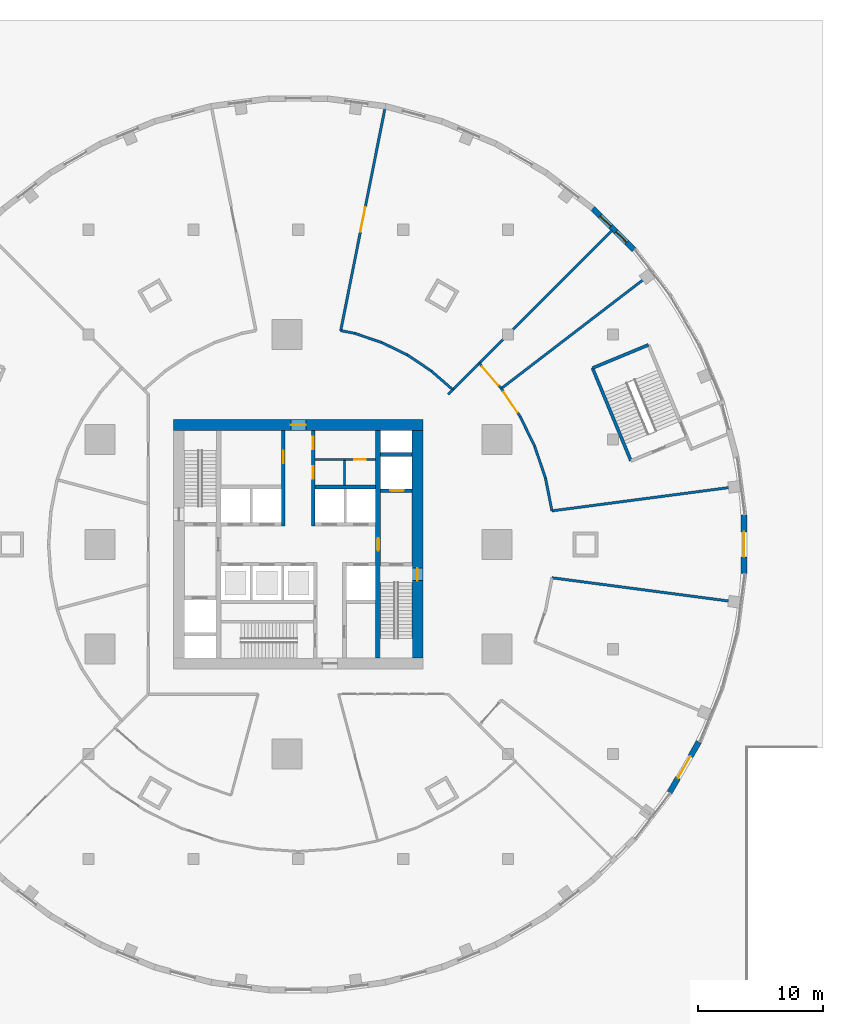
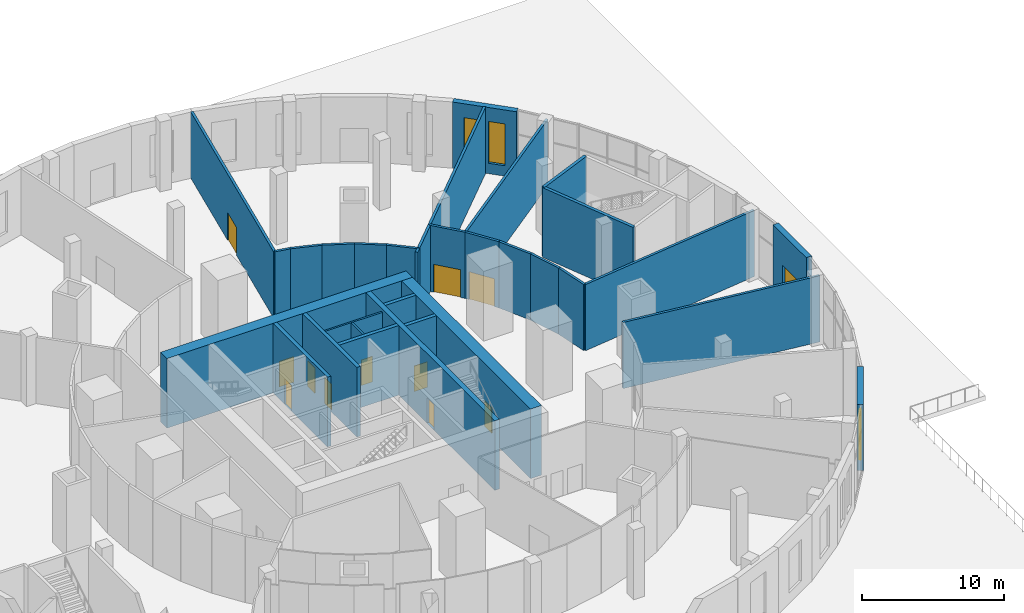
# One storey, part 13 of 19: 32 walls, 13 doors, 2 windows, 15 openings.
"""IFC4 building model written with IfcOpenShell, lengths in metres."""

from ifc_helpers import new_model, si_unit, direction, frame, frame_2d, origin, place, context, subcontext, project, spatial, rectangle, extrude, material, layer, layer_set, type_object, element, fill, save


model = new_model("IFC4")

# Units and contexts
model_context = context("Model", 3, precision=1e-05, world=origin(), true_north=direction((0.0, 1.0)))
body_context = subcontext(model_context, "Body", "Model", "MODEL_VIEW")
ifc_project = project(units=[si_unit("LENGTHUNIT", "METRE"), si_unit("AREAUNIT", "SQUARE_METRE"), si_unit("VOLUMEUNIT", "CUBIC_METRE"), si_unit("PLANEANGLEUNIT", "RADIAN"), si_unit("MASSUNIT", "GRAM", prefix="KILO")], contexts=[model_context])

# Site, building, storey
site_placement = place(None, origin())
site = spatial("IfcSite", under=ifc_project, at=site_placement, CompositionType="ELEMENT")
building_placement = place(site_placement, origin())
building = spatial("IfcBuilding", under=site, at=building_placement, Name="Golbaran Civic Tower", CompositionType="ELEMENT")
storey_placement = place(building_placement, origin())
storey = spatial("IfcBuildingStorey", under=building, at=storey_placement, Name="L00", CompositionType="ELEMENT", Elevation=0.0)

# Wall, opening, door
ifc_material_1 = material(Name="Concrete block", Category="concrete")
ifc_layer_1 = layer(ifc_material_1, 0.14990234375, Name="Concrete block")
ifc_layer_set_1 = layer_set([ifc_layer_1], Name="Concrete block")
wall_type_1 = type_object("IfcWallType", Name="BLOCKWORK PARTITION 150", PredefinedType="PARTITIONING", material=ifc_layer_set_1)
wall_1_placement = place(storey_placement, frame((1.35009765625, 6.800048828125, 0.0), z_axis=(0.0, 0.0, 1.0), x_axis=(1.0, 0.0, 0.0)))
wall_1 = element("IfcWall", 1, at=wall_1_placement, inside=storey, type_object=wall_type_1, Name="Toilet block partition TN1 L00", PredefinedType="PARTITIONING", context=body_context, shape_type="SweptSolid", body=[
    extrude(rectangle(XDim=4.849853515625, YDim=0.14990234375, at=frame_2d((2.4248046875, 0.0))), origin(), (0.0, 0.0, 1.0), 5.75),
])
opening_1_placement = place(wall_1_placement, frame((3.14990234375, 0.0, 0.0)))
opening_1 = element("IfcOpeningElement", 2, at=opening_1_placement, cuts=wall_1, Name="Opening L00.CLN", PredefinedType="OPENING", context=body_context, shape_type="SweptSolid", body=[
    extrude(rectangle(XDim=0.89990234375, YDim=2.199951171875, at=frame_2d((0.449951171875, 1.10009765625))), frame((0.0, 0.0849609375, 0.0), z_axis=(0.0, -1.0, 0.0), x_axis=(1.0, 0.0, 0.0)), (0.0, 0.0, 1.0), 0.169921875),
])
ifc_material_2 = material(Name="Timber door set in steel frame", Category="steel")
door_type_1 = type_object("IfcDoorType", Name="RISER DOOR 900x2200", OperationType="SINGLE_SWING_LEFT", PredefinedType="DOOR", material=ifc_material_2)
door_1_placement = place(opening_1_placement, origin())
door_1 = element("IfcDoor", 3, at=door_1_placement, inside=storey, type_object=door_type_1, Name="Cleaner's Store door", OperationType="SINGLE_SWING_RIGHT", OverallHeight=2.199951171875, OverallWidth=0.89990234375, PredefinedType="DOOR", context=body_context, shape_type="SweptSolid", body=[
    extrude(rectangle(XDim=0.89990234375, YDim=2.199951171875, at=frame_2d((0.449951171875, 1.10009765625))), frame((0.0, 0.02490234375, 0.0), z_axis=(0.0, -1.0, 0.0), x_axis=(1.0, 0.0, 0.0)), (0.0, 0.0, 1.0), 0.050048828125),
])
fill(opening_1, door_1)

# Wall
wall_2_placement = place(storey_placement, frame((3.699951171875, 4.75, 0.0), z_axis=(0.0, 0.0, 1.0), x_axis=(0.0, 1.0, 0.0)))
element("IfcWall", 4, at=wall_2_placement, inside=storey, type_object=wall_type_1, Name="Toilet block partition TN2 L00", PredefinedType="PARTITIONING", context=body_context, shape_type="SweptSolid", body=[
    extrude(rectangle(XDim=1.97509765625, YDim=0.14990234375, at=frame_2d((0.987548828125, 0.0))), origin(), (0.0, 0.0, 1.0), 5.75),
])

# Wall, opening, door
ifc_material_3 = material(Name="Concrete C50/60", Category="concrete")
ifc_layer_2 = layer(ifc_material_3, 0.39990234375, Name="Concrete C50/60")
ifc_layer_set_2 = layer_set([ifc_layer_2], Name="Concrete C50/60")
wall_type_2 = type_object("IfcWallType", Name="CORE WALL CONCRETE 400", PredefinedType="SOLIDWALL", material=ifc_layer_set_2)
wall_3_placement = place(storey_placement, frame((6.39990234375, 9.10009765625, 0.0), z_axis=(0.0, 0.0, 1.0), x_axis=(0.0, -1.0, 0.0)))
wall_3 = element("IfcWall", 5, at=wall_3_placement, inside=storey, type_object=wall_type_2, Name="Core wall IE L00", PredefinedType="SOLIDWALL", context=body_context, shape_type="SweptSolid", body=[
    extrude(rectangle(XDim=18.2001953125, YDim=0.39990234375, at=frame_2d((9.10009765625, 0.0))), origin(), (0.0, 0.0, 1.0), 6.0),
])
opening_2_placement = place(wall_3_placement, frame((8.60009765625, 0.0, 0.0)))
opening_2 = element("IfcOpeningElement", 6, at=opening_2_placement, cuts=wall_3, Name="Opening L00.FL2", PredefinedType="OPENING", context=body_context, shape_type="SweptSolid", body=[
    extrude(rectangle(XDim=1.0, YDim=2.199951171875, at=frame_2d((0.5, 1.10009765625))), frame((0.0, 0.2099609375, 0.0), z_axis=(0.0, -1.0, 0.0), x_axis=(1.0, 0.0, 0.0)), (0.0, 0.0, 1.0), 0.419921875),
])
door_type_2 = type_object("IfcDoorType", Name="STAIR DOOR 1000x2200", OperationType="SINGLE_SWING_LEFT", PredefinedType="DOOR", material=ifc_material_2)
door_2_placement = place(opening_2_placement, origin())
door_2 = element("IfcDoor", 7, at=door_2_placement, inside=storey, type_object=door_type_2, Name="Fire-fighting lobby FL2 door", OperationType="SINGLE_SWING_RIGHT", OverallHeight=2.199951171875, OverallWidth=1.0, PredefinedType="DOOR", context=body_context, shape_type="SweptSolid", body=[
    extrude(rectangle(XDim=1.0, YDim=2.199951171875, at=frame_2d((0.5, 1.10009765625))), frame((0.0, 0.02490234375, 0.0), z_axis=(0.0, -1.0, 0.0), x_axis=(1.0, 0.0, 0.0)), (0.0, 0.0, 1.0), 0.050048828125),
])
fill(opening_2, door_2)

ifc_layer_3 = layer(ifc_material_3, 0.89990234375, Name="Concrete C50/60")
ifc_layer_set_3 = layer_set([ifc_layer_3], Name="Concrete C50/60")
wall_type_3 = type_object("IfcWallType", Name="CORE WALL CONCRETE 900", PredefinedType="SOLIDWALL", material=ifc_layer_set_3)
wall_4_placement = place(storey_placement, frame((-10.0, 9.550048828125, 0.0), z_axis=(0.0, 0.0, 1.0), x_axis=(1.0, 0.0, 0.0)))
wall_4 = element("IfcWall", 8, at=wall_4_placement, inside=storey, type_object=wall_type_3, Name="Core wall CN L00", PredefinedType="SOLIDWALL", context=body_context, shape_type="SweptSolid", body=[
    extrude(rectangle(XDim=20.0, YDim=0.89990234375, at=frame_2d((10.0, 0.0))), origin(), (0.0, 0.0, 1.0), 6.0),
])
opening_3_placement = place(wall_4_placement, frame((9.39990234375, 0.0, 0.0)))
opening_3 = element("IfcOpeningElement", 9, at=opening_3_placement, cuts=wall_4, Name="Opening L00.CN", PredefinedType="OPENING", context=body_context, shape_type="SweptSolid", body=[
    extrude(rectangle(XDim=1.199951171875, YDim=2.199951171875, at=frame_2d((0.60009765625, 1.10009765625))), frame((0.0, 0.4599609375, 0.0), z_axis=(0.0, -1.0, 0.0), x_axis=(1.0, 0.0, 0.0)), (0.0, 0.0, 1.0), 0.919921875),
])
door_type_3 = type_object("IfcDoorType", Name="CORE DOOR 1200x2200", OperationType="DOUBLE_DOOR_SINGLE_SWING", PredefinedType="DOOR", material=ifc_material_2)
door_3_placement = place(opening_3_placement, origin())
door_3 = element("IfcDoor", 10, at=door_3_placement, inside=storey, type_object=door_type_3, Name="Core door north", OperationType="DOUBLE_DOOR_SINGLE_SWING", OverallHeight=2.199951171875, OverallWidth=1.199951171875, PredefinedType="DOOR", context=body_context, shape_type="SweptSolid", body=[
    extrude(rectangle(XDim=1.199951171875, YDim=2.199951171875, at=frame_2d((0.60009765625, 1.10009765625))), frame((0.0, 0.02490234375, 0.0), z_axis=(0.0, -1.0, 0.0), x_axis=(1.0, 0.0, 0.0)), (0.0, 0.0, 1.0), 0.050048828125),
])
fill(opening_3, door_3)

wall_5_placement = place(storey_placement, frame((9.550048828125, -9.10009765625, 0.0), z_axis=(0.0, 0.0, 1.0), x_axis=(0.0, 1.0, 0.0)))
wall_5 = element("IfcWall", 11, at=wall_5_placement, inside=storey, type_object=wall_type_3, Name="Core wall CE L00", PredefinedType="SOLIDWALL", context=body_context, shape_type="SweptSolid", body=[
    extrude(rectangle(XDim=18.2001953125, YDim=0.89990234375, at=frame_2d((9.10009765625, 0.0))), origin(), (0.0, 0.0, 1.0), 6.0),
])
opening_4_placement = place(wall_5_placement, frame((6.199951171875, 0.0, 0.0)))
opening_4 = element("IfcOpeningElement", 12, at=opening_4_placement, cuts=wall_5, Name="Opening L00.S2E", PredefinedType="OPENING", context=body_context, shape_type="SweptSolid", body=[
    extrude(rectangle(XDim=1.0, YDim=2.199951171875, at=frame_2d((0.5, 1.10009765625))), frame((0.0, 0.4599609375, 0.0), z_axis=(0.0, -1.0, 0.0), x_axis=(1.0, 0.0, 0.0)), (0.0, 0.0, 1.0), 0.919921875),
])
door_4_placement = place(opening_4_placement, origin())
door_4 = element("IfcDoor", 13, at=door_4_placement, inside=storey, type_object=door_type_2, Name="Stair S2 exit door", OperationType="SINGLE_SWING_LEFT", OverallHeight=2.199951171875, OverallWidth=1.0, PredefinedType="DOOR", context=body_context, shape_type="SweptSolid", body=[
    extrude(rectangle(XDim=1.0, YDim=2.199951171875, at=frame_2d((0.5, 1.10009765625))), frame((0.0, 0.02490234375, 0.0), z_axis=(0.0, -1.0, 0.0), x_axis=(1.0, 0.0, 0.0)), (0.0, 0.0, 1.0), 0.050048828125),
])
fill(opening_4, door_4)

# Wall
ifc_material_4 = material(Name="Concrete block, plastered", Category="concrete")
ifc_layer_4 = layer(ifc_material_4, 0.199951171875, Name="Concrete block, plastered")
ifc_layer_set_4 = layer_set([ifc_layer_4], Name="Concrete block, plastered")
wall_type_4 = type_object("IfcWallType", Name="PODIUM PARTITION 200", PredefinedType="PARTITIONING", material=ifc_layer_set_4)
wall_6_placement = place(storey_placement, frame((3.39990234375, 17.1201171875, 0.0), z_axis=(0.0, 0.0, 1.0), x_axis=(0.981217026057, -0.19290709623, 0.0)))
element("IfcWall", 14, at=wall_6_placement, inside=storey, type_object=wall_type_4, Name="Podium partition L00", PredefinedType="PARTITIONING", context=body_context, shape_type="SweptSolid", body=[
    extrude(rectangle(XDim=1.1416015625, YDim=0.199951171875, at=frame_2d((0.57080078125, 0.0))), origin(), (0.0, 0.0, 1.0), 5.699951171875),
])

# Wall, opening, door
wall_7_placement = place(storey_placement, frame((3.39990234375, 17.1201171875, 0.0), z_axis=(0.0, 0.0, 1.0), x_axis=(0.195060521619, 0.9807912076, 0.0)))
wall_7 = element("IfcWall", 15, at=wall_7_placement, inside=storey, type_object=wall_type_4, Name="Podium partition L00", PredefinedType="PARTITIONING", context=body_context, shape_type="SweptSolid", body=[
    extrude(rectangle(XDim=18.1484375, YDim=0.199951171875, at=frame_2d((9.07421875, 0.0))), origin(), (0.0, 0.0, 1.0), 5.699951171875),
])
opening_5_placement = place(wall_7_placement, frame((8.07421875, 0.0, 0.0)))
opening_5 = element("IfcOpeningElement", 16, at=opening_5_placement, cuts=wall_7, Name="Opening L00.23", PredefinedType="OPENING", context=body_context, shape_type="SweptSolid", body=[
    extrude(rectangle(XDim=2.0, YDim=2.39990234375, at=frame_2d((1.0, 1.199951171875))), frame((0.0, 0.10986328125, 0.0), z_axis=(0.0, -1.0, 0.0), x_axis=(1.0, 0.0, 0.0)), (0.0, 0.0, 1.0), 0.219970703125),
])
door_type_4 = type_object("IfcDoorType", Name="PUBLIC DOUBLE DOOR 2000x2400", OperationType="DOUBLE_DOOR_SINGLE_SWING", PredefinedType="DOOR", material=ifc_material_2)
door_5_placement = place(opening_5_placement, origin())
door_5 = element("IfcDoor", 17, at=door_5_placement, inside=storey, type_object=door_type_4, Name="Civic Exhibition Gallery door", OperationType="DOUBLE_DOOR_SINGLE_SWING", OverallHeight=2.39990234375, OverallWidth=2.0, PredefinedType="DOOR", context=body_context, shape_type="SweptSolid", body=[
    extrude(rectangle(XDim=2.0, YDim=2.39990234375, at=frame_2d((1.0, 1.199951171875))), frame((0.0, 0.02490234375, 0.0), z_axis=(0.0, -1.0, 0.0), x_axis=(1.0, 0.0, 0.0)), (0.0, 0.0, 1.0), 0.050048828125),
])
fill(opening_5, door_5)

# Walls
wall_8_placement = place(storey_placement, frame((4.52001953125, 16.89990234375, 0.0), z_axis=(0.0, 0.0, 1.0), x_axis=(0.946929712354, -0.321440694159, 0.0)))
element("IfcWall", 18, at=wall_8_placement, inside=storey, type_object=wall_type_4, Name="Podium partition L00", PredefinedType="PARTITIONING", context=body_context, shape_type="SweptSolid", body=[
    extrude(rectangle(XDim=2.302001953125, YDim=0.199951171875, at=frame_2d((1.15087890625, 0.0))), origin(), (0.0, 0.0, 1.0), 5.699951171875),
])
wall_9_placement = place(storey_placement, frame((6.699951171875, 16.159912109375, 0.0), z_axis=(0.0, 0.0, 1.0), x_axis=(0.899611086074, -0.436691989637, 0.0)))
element("IfcWall", 19, at=wall_9_placement, inside=storey, type_object=wall_type_4, Name="Podium partition L00", PredefinedType="PARTITIONING", context=body_context, shape_type="SweptSolid", body=[
    extrude(rectangle(XDim=2.2900390625, YDim=0.199951171875, at=frame_2d((1.14501953125, 0.0))), origin(), (0.0, 0.0, 1.0), 5.699951171875),
])
wall_10_placement = place(storey_placement, frame((8.760009765625, 15.159912109375, 0.0), z_axis=(0.0, 0.0, 1.0), x_axis=(0.829335136553, -0.558751493311, 0.0)))
element("IfcWall", 20, at=wall_10_placement, inside=storey, type_object=wall_type_4, Name="Podium partition L00", PredefinedType="PARTITIONING", context=body_context, shape_type="SweptSolid", body=[
    extrude(rectangle(XDim=2.290771484375, YDim=0.199951171875, at=frame_2d((1.1455078125, 0.0))), origin(), (0.0, 0.0, 1.0), 5.699951171875),
])
wall_11_placement = place(storey_placement, frame((10.659912109375, 13.8798828125, 0.0), z_axis=(0.0, 0.0, 1.0), x_axis=(0.753655870045, -0.657269221512, 0.0)))
element("IfcWall", 21, at=wall_11_placement, inside=storey, type_object=wall_type_4, Name="Podium partition L00", PredefinedType="PARTITIONING", context=body_context, shape_type="SweptSolid", body=[
    extrude(rectangle(XDim=2.2822265625, YDim=0.199951171875, at=frame_2d((1.14111328125, 0.0))), origin(), (0.0, 0.0, 1.0), 5.699951171875),
])
wall_12_placement = place(storey_placement, frame((12.0, 12.0, 0.0), z_axis=(0.0, 0.0, 1.0), x_axis=(0.707106781187, 0.707106781187, 0.0)))
element("IfcWall", 22, at=wall_12_placement, inside=storey, type_object=wall_type_4, Name="Podium partition L00", PredefinedType="PARTITIONING", context=body_context, shape_type="SweptSolid", body=[
    extrude(rectangle(XDim=0.537353515625, YDim=0.199951171875, at=frame_2d((0.2685546875, 0.0))), origin(), (0.0, 0.0, 1.0), 5.699951171875),
])
wall_13_placement = place(storey_placement, frame((12.3798828125, 12.3798828125, 0.0), z_axis=(0.0, 0.0, 1.0), x_axis=(0.707106781187, 0.707106781187, 0.0)))
element("IfcWall", 23, at=wall_13_placement, inside=storey, type_object=wall_type_4, Name="Podium partition L00", PredefinedType="PARTITIONING", context=body_context, shape_type="SweptSolid", body=[
    extrude(rectangle(XDim=2.998291015625, YDim=0.199951171875, at=frame_2d((1.4990234375, 0.0))), origin(), (0.0, 0.0, 1.0), 5.699951171875),
])

# Wall, opening, door
wall_14_placement = place(storey_placement, frame((14.5, 14.5, 0.0), z_axis=(0.0, 0.0, 1.0), x_axis=(0.656916126811, -0.753963661151, 0.0)))
wall_14 = element("IfcWall", 24, at=wall_14_placement, inside=storey, type_object=wall_type_4, Name="Podium partition L00", PredefinedType="PARTITIONING", context=body_context, shape_type="SweptSolid", body=[
    extrude(rectangle(XDim=2.67919921875, YDim=0.199951171875, at=frame_2d((1.339599609375, 0.0))), origin(), (0.0, 0.0, 1.0), 5.699951171875),
])
opening_6_placement = place(wall_14_placement, frame((0.339599609375, 0.0, 0.0)))
opening_6 = element("IfcOpeningElement", 25, at=opening_6_placement, cuts=wall_14, Name="Opening L00.25", PredefinedType="OPENING", context=body_context, shape_type="SweptSolid", body=[
    extrude(rectangle(XDim=2.0, YDim=2.39990234375, at=frame_2d((1.0, 1.199951171875))), frame((0.0, 0.10986328125, 0.0), z_axis=(0.0, -1.0, 0.0), x_axis=(1.0, 0.0, 0.0)), (0.0, 0.0, 1.0), 0.219970703125),
])
door_6_placement = place(opening_6_placement, origin())
door_6 = element("IfcDoor", 26, at=door_6_placement, inside=storey, type_object=door_type_4, Name="Interview Room door", OperationType="DOUBLE_DOOR_SINGLE_SWING", OverallHeight=2.39990234375, OverallWidth=2.0, PredefinedType="DOOR", context=body_context, shape_type="SweptSolid", body=[
    extrude(rectangle(XDim=2.0, YDim=2.39990234375, at=frame_2d((1.0, 1.199951171875))), frame((0.0, 0.02490234375, 0.0), z_axis=(0.0, -1.0, 0.0), x_axis=(1.0, 0.0, 0.0)), (0.0, 0.0, 1.0), 0.050048828125),
])
fill(opening_6, door_6)

# Wall
wall_15_placement = place(storey_placement, frame((14.5, 14.5, 0.0), z_axis=(0.0, 0.0, 1.0), x_axis=(0.707106781187, 0.707106781187, 0.0)))
element("IfcWall", 27, at=wall_15_placement, inside=storey, type_object=wall_type_4, Name="Podium partition L00", PredefinedType="PARTITIONING", context=body_context, shape_type="SweptSolid", body=[
    extrude(rectangle(XDim=15.01904296875, YDim=0.199951171875, at=frame_2d((7.509521484375, 0.0))), origin(), (0.0, 0.0, 1.0), 5.699951171875),
])

# Wall, opening, door
wall_16_placement = place(storey_placement, frame((16.260009765625, 12.47998046875, 0.0), z_axis=(0.0, 0.0, 1.0), x_axis=(0.559862483837, -0.828585541264, 0.0)))
wall_16 = element("IfcWall", 28, at=wall_16_placement, inside=storey, type_object=wall_type_4, Name="Podium partition L00", PredefinedType="PARTITIONING", context=body_context, shape_type="SweptSolid", body=[
    extrude(rectangle(XDim=2.67919921875, YDim=0.199951171875, at=frame_2d((1.339599609375, 0.0))), origin(), (0.0, 0.0, 1.0), 5.699951171875),
])
opening_7_placement = place(wall_16_placement, frame((0.339599609375, 0.0, 0.0)))
opening_7 = element("IfcOpeningElement", 29, at=opening_7_placement, cuts=wall_16, Name="Opening L00.26", PredefinedType="OPENING", context=body_context, shape_type="SweptSolid", body=[
    extrude(rectangle(XDim=2.0, YDim=2.39990234375, at=frame_2d((1.0, 1.199951171875))), frame((0.0, 0.10986328125, 0.0), z_axis=(0.0, -1.0, 0.0), x_axis=(1.0, 0.0, 0.0)), (0.0, 0.0, 1.0), 0.219970703125),
])
door_7_placement = place(opening_7_placement, origin())
door_7 = element("IfcDoor", 30, at=door_7_placement, inside=storey, type_object=door_type_4, Name="Document Registry door", OperationType="DOUBLE_DOOR_SINGLE_SWING", OverallHeight=2.39990234375, OverallWidth=2.0, PredefinedType="DOOR", context=body_context, shape_type="SweptSolid", body=[
    extrude(rectangle(XDim=2.0, YDim=2.39990234375, at=frame_2d((1.0, 1.199951171875))), frame((0.0, 0.02490234375, 0.0), z_axis=(0.0, -1.0, 0.0), x_axis=(1.0, 0.0, 0.0)), (0.0, 0.0, 1.0), 0.050048828125),
])
fill(opening_7, door_7)

# Walls
wall_17_placement = place(storey_placement, frame((16.260009765625, 12.47998046875, 0.0), z_axis=(0.0, 0.0, 1.0), x_axis=(0.79355717759, 0.608495690943, 0.0)))
element("IfcWall", 31, at=wall_17_placement, inside=storey, type_object=wall_type_4, Name="Podium partition L00", PredefinedType="PARTITIONING", context=body_context, shape_type="SweptSolid", body=[
    extrude(rectangle(XDim=15.020751953125, YDim=0.199951171875, at=frame_2d((7.51025390625, 0.0))), origin(), (0.0, 0.0, 1.0), 5.699951171875),
])
wall_18_placement = place(storey_placement, frame((17.760009765625, 10.260009765625, 0.0), z_axis=(0.0, 0.0, 1.0), x_axis=(0.438268188545, -0.898844255091, 0.0)))
element("IfcWall", 32, at=wall_18_placement, inside=storey, type_object=wall_type_4, Name="Podium partition L00", PredefinedType="PARTITIONING", context=body_context, shape_type="SweptSolid", body=[
    extrude(rectangle(XDim=2.692138671875, YDim=0.199951171875, at=frame_2d((1.34619140625, 0.0))), origin(), (0.0, 0.0, 1.0), 5.699951171875),
])
wall_19_placement = place(storey_placement, frame((18.93994140625, 7.840087890625, 0.0), z_axis=(0.0, 0.0, 1.0), x_axis=(0.320730632057, -0.947170450162, 0.0)))
element("IfcWall", 33, at=wall_19_placement, inside=storey, type_object=wall_type_4, Name="Podium partition L00", PredefinedType="PARTITIONING", context=body_context, shape_type="SweptSolid", body=[
    extrude(rectangle(XDim=2.681640625, YDim=0.199951171875, at=frame_2d((1.3408203125, 0.0))), origin(), (0.0, 0.0, 1.0), 5.699951171875),
])
wall_20_placement = place(storey_placement, frame((19.800048828125, 5.300048828125, 0.0), z_axis=(0.0, 0.0, 1.0), x_axis=(0.194674669879, -0.980867867201, 0.0)))
element("IfcWall", 34, at=wall_20_placement, inside=storey, type_object=wall_type_4, Name="Podium partition L00", PredefinedType="PARTITIONING", context=body_context, shape_type="SweptSolid", body=[
    extrude(rectangle(XDim=2.671142578125, YDim=0.199951171875, at=frame_2d((1.33544921875, 0.0))), origin(), (0.0, 0.0, 1.0), 5.699951171875),
])
for number, where, z_axis, x_axis, name in (
    (35, (20.320068359375, -2.679931640625, 0.0), (0.0, 0.0, 1.0), (0.991459050186, -0.130418372192, 0.0), "Podium partition L00"),
    (36, (20.320068359375, 2.679931640625, 0.0), (0.0, 0.0, 1.0), (0.991459050186, 0.130418372192, 0.0), "Podium partition L00"),
):
    element("IfcWall", number, at=place(storey_placement, frame(where, z_axis=z_axis, x_axis=x_axis)), inside=storey, type_object=wall_type_4, Name=name, PredefinedType="PARTITIONING", context=body_context, shape_type="SweptSolid", body=[
        extrude(rectangle(XDim=15.0283203125, YDim=0.199951171875, at=frame_2d((7.51416015625, 0.0))), origin(), (0.0, 0.0, 1.0), 5.699951171875),
    ])
ifc_layer_5 = layer(ifc_material_3, 0.300048828125, Name="Concrete C50/60")
ifc_layer_set_5 = layer_set([ifc_layer_5], Name="Concrete C50/60")
wall_type_5 = type_object("IfcWallType", Name="SHAFT WALL CONCRETE 300", PredefinedType="SOLIDWALL", material=ifc_layer_set_5)
wall_21_placement = place(storey_placement, frame((1.35009765625, 4.60009765625, 0.0), z_axis=(0.0, 0.0, 1.0), x_axis=(1.0, 0.0, 0.0)))
element("IfcWall", 37, at=wall_21_placement, inside=storey, type_object=wall_type_5, Name="Core wall BNE L00", PredefinedType="SOLIDWALL", context=body_context, shape_type="SweptSolid", body=[
    extrude(rectangle(XDim=4.849853515625, YDim=0.300048828125, at=frame_2d((2.4248046875, 0.0))), origin(), (0.0, 0.0, 1.0), 6.0),
])

# Wall, opening, door
wall_22_placement = place(storey_placement, frame((-1.199951171875, 1.449951171875, 0.0), z_axis=(0.0, 0.0, 1.0), x_axis=(0.0, 1.0, 0.0)))
wall_22 = element("IfcWall", 38, at=wall_22_placement, inside=storey, type_object=wall_type_5, Name="Core wall PNW L00", PredefinedType="SOLIDWALL", context=body_context, shape_type="SweptSolid", body=[
    extrude(rectangle(XDim=7.650146484375, YDim=0.300048828125, at=frame_2d((3.8251953125, 0.0))), origin(), (0.0, 0.0, 1.0), 6.0),
])
opening_8_placement = place(wall_22_placement, frame((5.050048828125, 0.0, 0.0)))
opening_8 = element("IfcOpeningElement", 39, at=opening_8_placement, cuts=wall_22, Name="Opening L00.WCM", PredefinedType="OPENING", context=body_context, shape_type="SweptSolid", body=[
    extrude(rectangle(XDim=1.0, YDim=2.199951171875, at=frame_2d((0.5, 1.10009765625))), frame((0.0, 0.159912109375, 0.0), z_axis=(0.0, -1.0, 0.0), x_axis=(1.0, 0.0, 0.0)), (0.0, 0.0, 1.0), 0.320068359375),
])
door_type_5 = type_object("IfcDoorType", Name="TOILET DOOR 1000x2200", OperationType="SINGLE_SWING_LEFT", PredefinedType="DOOR", material=ifc_material_2)
door_8_placement = place(opening_8_placement, origin())
door_8 = element("IfcDoor", 40, at=door_8_placement, inside=storey, type_object=door_type_5, Name="North-west toilet block door", OperationType="SINGLE_SWING_RIGHT", OverallHeight=2.199951171875, OverallWidth=1.0, PredefinedType="DOOR", context=body_context, shape_type="SweptSolid", body=[
    extrude(rectangle(XDim=1.0, YDim=2.199951171875, at=frame_2d((0.5, 1.10009765625))), frame((0.0, 0.02490234375, 0.0), z_axis=(0.0, -1.0, 0.0), x_axis=(1.0, 0.0, 0.0)), (0.0, 0.0, 1.0), 0.050048828125),
])
fill(opening_8, door_8)

# Wall, openings, doors
wall_23_placement = place(storey_placement, frame((1.199951171875, 1.449951171875, 0.0), z_axis=(0.0, 0.0, 1.0), x_axis=(0.0, 1.0, 0.0)))
wall_23 = element("IfcWall", 41, at=wall_23_placement, inside=storey, type_object=wall_type_5, Name="Core wall PNE L00", PredefinedType="SOLIDWALL", context=body_context, shape_type="SweptSolid", body=[
    extrude(rectangle(XDim=7.650146484375, YDim=0.300048828125, at=frame_2d((3.8251953125, 0.0))), origin(), (0.0, 0.0, 1.0), 6.0),
])
opening_9_placement = place(wall_23_placement, frame((3.800048828125, 0.0, 0.0)))
opening_9 = element("IfcOpeningElement", 42, at=opening_9_placement, cuts=wall_23, Name="Opening L00.WCA", PredefinedType="OPENING", context=body_context, shape_type="SweptSolid", body=[
    extrude(rectangle(XDim=1.0, YDim=2.199951171875, at=frame_2d((0.5, 1.10009765625))), frame((0.0, 0.159912109375, 0.0), z_axis=(0.0, -1.0, 0.0), x_axis=(1.0, 0.0, 0.0)), (0.0, 0.0, 1.0), 0.320068359375),
])
opening_10_placement = place(wall_23_placement, frame((6.14990234375, 0.0, 0.0)))
opening_10 = element("IfcOpeningElement", 43, at=opening_10_placement, cuts=wall_23, Name="Opening L00.WCF", PredefinedType="OPENING", context=body_context, shape_type="SweptSolid", body=[
    extrude(rectangle(XDim=1.0, YDim=2.199951171875, at=frame_2d((0.5, 1.10009765625))), frame((0.0, 0.159912109375, 0.0), z_axis=(0.0, -1.0, 0.0), x_axis=(1.0, 0.0, 0.0)), (0.0, 0.0, 1.0), 0.320068359375),
])
door_9_placement = place(opening_9_placement, origin())
door_9 = element("IfcDoor", 44, at=door_9_placement, inside=storey, type_object=door_type_5, Name="Accessible WC door", OperationType="SINGLE_SWING_RIGHT", OverallHeight=2.199951171875, OverallWidth=1.0, PredefinedType="DOOR", context=body_context, shape_type="SweptSolid", body=[
    extrude(rectangle(XDim=1.0, YDim=2.199951171875, at=frame_2d((0.5, 1.10009765625))), frame((0.0, 0.02490234375, 0.0), z_axis=(0.0, -1.0, 0.0), x_axis=(1.0, 0.0, 0.0)), (0.0, 0.0, 1.0), 0.050048828125),
])
fill(opening_9, door_9)
door_10_placement = place(opening_10_placement, origin())
door_10 = element("IfcDoor", 45, at=door_10_placement, inside=storey, type_object=door_type_5, Name="North-east toilet block door", OperationType="SINGLE_SWING_RIGHT", OverallHeight=2.199951171875, OverallWidth=1.0, PredefinedType="DOOR", context=body_context, shape_type="SweptSolid", body=[
    extrude(rectangle(XDim=1.0, YDim=2.199951171875, at=frame_2d((0.5, 1.10009765625))), frame((0.0, 0.02490234375, 0.0), z_axis=(0.0, -1.0, 0.0), x_axis=(1.0, 0.0, 0.0)), (0.0, 0.0, 1.0), 0.050048828125),
])
fill(opening_10, door_10)

# Wall, opening, door
wall_24_placement = place(storey_placement, frame((6.60009765625, 4.300048828125, 0.0), z_axis=(0.0, 0.0, 1.0), x_axis=(1.0, 0.0, 0.0)))
wall_24 = element("IfcWall", 46, at=wall_24_placement, inside=storey, type_object=wall_type_5, Name="Core wall XE2 L00", PredefinedType="SOLIDWALL", context=body_context, shape_type="SweptSolid", body=[
    extrude(rectangle(XDim=2.5, YDim=0.300048828125, at=frame_2d((1.25, 0.0))), origin(), (0.0, 0.0, 1.0), 6.0),
])
opening_11_placement = place(wall_24_placement, frame((0.75, 0.0, 0.0)))
opening_11 = element("IfcOpeningElement", 47, at=opening_11_placement, cuts=wall_24, Name="Opening L00.LD-F2", PredefinedType="OPENING", context=body_context, shape_type="SweptSolid", body=[
    extrude(rectangle(XDim=1.10009765625, YDim=2.199951171875, at=frame_2d((0.550048828125, 1.10009765625))), frame((0.0, 0.159912109375, 0.0), z_axis=(0.0, -1.0, 0.0), x_axis=(1.0, 0.0, 0.0)), (0.0, 0.0, 1.0), 0.320068359375),
])
ifc_material_5 = material(Name="Stainless steel", Category="steel")
door_type_6 = type_object("IfcDoorType", Name="LIFT LANDING DOOR 1100x2200", OperationType="SLIDING_TO_LEFT", PredefinedType="DOOR", material=ifc_material_5)
door_11_placement = place(opening_11_placement, origin())
door_11 = element("IfcDoor", 48, at=door_11_placement, inside=storey, type_object=door_type_6, Name="Lift landing door F2", OperationType="SLIDING_TO_LEFT", OverallHeight=2.199951171875, OverallWidth=1.10009765625, PredefinedType="DOOR", context=body_context, shape_type="SweptSolid", body=[
    extrude(rectangle(XDim=1.10009765625, YDim=2.199951171875, at=frame_2d((0.550048828125, 1.10009765625))), frame((0.0, 0.02490234375, 0.0), z_axis=(0.0, -1.0, 0.0), x_axis=(1.0, 0.0, 0.0)), (0.0, 0.0, 1.0), 0.050048828125),
])
fill(opening_11, door_11)

# Walls
wall_25_placement = place(storey_placement, frame((6.60009765625, 7.199951171875, 0.0), z_axis=(0.0, 0.0, 1.0), x_axis=(1.0, 0.0, 0.0)))
element("IfcWall", 49, at=wall_25_placement, inside=storey, type_object=wall_type_5, Name="Core wall XE3 L00", PredefinedType="SOLIDWALL", context=body_context, shape_type="SweptSolid", body=[
    extrude(rectangle(XDim=2.5, YDim=0.300048828125, at=frame_2d((1.25, 0.0))), origin(), (0.0, 0.0, 1.0), 6.0),
])
ifc_layer_6 = layer(ifc_material_3, 0.25, Name="Concrete C50/60")
ifc_layer_set_6 = layer_set([ifc_layer_6], Name="Concrete C50/60")
wall_type_6 = type_object("IfcWallType", Name="STAIR ENCLOSURE WALL CONCRETE 250", PredefinedType="SOLIDWALL", material=ifc_layer_set_6)
wall_26_placement = place(storey_placement, frame((26.646728515625, 6.680908203125, 0.0), z_axis=(0.0, 0.0, 1.0), x_axis=(-0.382689294869, 0.923877104161, 0.0)))
element("IfcWall", 50, at=wall_26_placement, inside=storey, type_object=wall_type_6, Name="Stair P1 enclosure B L00", PredefinedType="SOLIDWALL", context=body_context, shape_type="SweptSolid", body=[
    extrude(rectangle(XDim=8.0498046875, YDim=0.25, at=frame_2d((4.02490234375, 0.0))), origin(), (0.0, 0.0, 1.0), 6.0),
])
wall_27_placement = place(storey_placement, frame((23.566162109375, 14.117919921875, 0.0), z_axis=(0.0, 0.0, 1.0), x_axis=(0.923862828997, 0.382723755727, 0.0)))
element("IfcWall", 51, at=wall_27_placement, inside=storey, type_object=wall_type_6, Name="Stair P1 enclosure C L00", PredefinedType="SOLIDWALL", context=body_context, shape_type="SweptSolid", body=[
    extrude(rectangle(XDim=4.85009765625, YDim=0.25, at=frame_2d((2.425048828125, 0.0))), origin(), (0.0, 0.0, 1.0), 6.0),
])

# Wall, openings, windows
ifc_material_6 = material(Name="Terracotta brick", Category="masonry")
ifc_layer_7 = layer(ifc_material_6, 0.449951171875, Name="Terracotta brick")
ifc_layer_set_7 = layer_set([ifc_layer_7], Name="Terracotta brick")
wall_type_7 = type_object("IfcWallType", Name="TERRACOTTA BRICK FACADE WALL 450", PredefinedType="SOLIDWALL", material=ifc_layer_set_7)
wall_28_placement = place(storey_placement, frame((26.89697265625, 23.588134765625, 0.0), z_axis=(0.0, 0.0, 1.0), x_axis=(-0.707106781187, 0.707106781187, 0.0)))
wall_28 = element("IfcWall", 52, at=wall_28_placement, inside=storey, type_object=wall_type_7, Name="Podium wall L00 facet 6", PredefinedType="SOLIDWALL", context=body_context, shape_type="SweptSolid", body=[
    extrude(rectangle(XDim=4.679443359375, YDim=0.449951171875, at=frame_2d((2.33984375, 0.0))), origin(), (0.0, 0.0, 1.0), 5.699951171875),
])
opening_12_placement = place(wall_28_placement, frame((0.840087890625, 0.0, 0.89990234375)))
opening_12 = element("IfcOpeningElement", 53, at=opening_12_placement, cuts=wall_28, Name="Opening L00.W01", PredefinedType="OPENING", context=body_context, shape_type="SweptSolid", body=[
    extrude(rectangle(XDim=1.199951171875, YDim=3.60009765625, at=frame_2d((0.60009765625, 1.800048828125))), frame((0.0, 0.23486328125, 0.0), z_axis=(0.0, -1.0, 0.0), x_axis=(1.0, 0.0, 0.0)), (0.0, 0.0, 1.0), 0.469970703125),
])
opening_13_placement = place(wall_28_placement, frame((2.639892578125, 0.0, 0.89990234375)))
opening_13 = element("IfcOpeningElement", 54, at=opening_13_placement, cuts=wall_28, Name="Opening L00.W02", PredefinedType="OPENING", context=body_context, shape_type="SweptSolid", body=[
    extrude(rectangle(XDim=1.199951171875, YDim=3.60009765625, at=frame_2d((0.60009765625, 1.800048828125))), frame((0.0, 0.23486328125, 0.0), z_axis=(0.0, -1.0, 0.0), x_axis=(1.0, 0.0, 0.0)), (0.0, 0.0, 1.0), 0.469970703125),
])
ifc_material_7 = material(Name="Aluminium frame, clear glass", Category="aluminium")
window_type = type_object("IfcWindowType", Name="PODIUM PAIRED WINDOW 1200x3600", PartitioningType="SINGLE_PANEL", PredefinedType="WINDOW", material=ifc_material_7)
window_1_placement = place(opening_12_placement, origin())
window_1 = element("IfcWindow", 55, at=window_1_placement, inside=storey, type_object=window_type, Name="Podium window L00 facet 6a", OverallHeight=3.60009765625, OverallWidth=1.199951171875, PartitioningType="SINGLE_PANEL", PredefinedType="WINDOW", context=body_context, shape_type="SweptSolid", body=[
    extrude(rectangle(XDim=1.199951171875, YDim=3.60009765625, at=frame_2d((0.60009765625, 1.800048828125))), frame((0.0, 0.030029296875, 0.0), z_axis=(0.0, -1.0, 0.0), x_axis=(1.0, 0.0, 0.0)), (0.0, 0.0, 1.0), 0.06005859375),
])
fill(opening_12, window_1)
window_2_placement = place(opening_13_placement, origin())
window_2 = element("IfcWindow", 56, at=window_2_placement, inside=storey, type_object=window_type, Name="Podium window L00 facet 6b", OverallHeight=3.60009765625, OverallWidth=1.199951171875, PartitioningType="SINGLE_PANEL", PredefinedType="WINDOW", context=body_context, shape_type="SweptSolid", body=[
    extrude(rectangle(XDim=1.199951171875, YDim=3.60009765625, at=frame_2d((0.60009765625, 1.800048828125))), frame((0.0, 0.030029296875, 0.0), z_axis=(0.0, -1.0, 0.0), x_axis=(1.0, 0.0, 0.0)), (0.0, 0.0, 1.0), 0.06005859375),
])
fill(opening_13, window_2)

# Wall, opening, door
wall_29_placement = place(storey_placement, frame((29.745849609375, -19.87548828125, 0.0), z_axis=(0.0, 0.0, 1.0), x_axis=(0.500022025083, 0.866012687223, 0.0)))
wall_29 = element("IfcWall", 57, at=wall_29_placement, inside=storey, type_object=wall_type_7, Name="Podium wall L00 facet 44", PredefinedType="SOLIDWALL", context=body_context, shape_type="SweptSolid", body=[
    extrude(rectangle(XDim=4.679443359375, YDim=0.449951171875, at=frame_2d((2.33984375, 0.0))), origin(), (0.0, 0.0, 1.0), 5.699951171875),
])
opening_14_placement = place(wall_29_placement, frame((1.33984375, 0.0, 0.0)))
opening_14 = element("IfcOpeningElement", 58, at=opening_14_placement, cuts=wall_29, Name="Opening L00.15", PredefinedType="OPENING", context=body_context, shape_type="SweptSolid", body=[
    extrude(rectangle(XDim=2.0, YDim=3.0, at=frame_2d((1.0, 1.5))), frame((0.0, 0.23486328125, 0.0), z_axis=(0.0, -1.0, 0.0), x_axis=(1.0, 0.0, 0.0)), (0.0, 0.0, 1.0), 0.469970703125),
])
ifc_material_8 = material(Name="Bronze-finished aluminium and glass", Category="aluminium")
door_type_7 = type_object("IfcDoorType", Name="ENTRANCE DOOR 2000x3000", OperationType="DOUBLE_DOOR_SINGLE_SWING", PredefinedType="DOOR", material=ifc_material_8)
door_12_placement = place(opening_14_placement, frame((2.0, 0.0, 0.0), z_axis=(0.0, 0.0, 1.0), x_axis=(-1.0, 0.0, 0.0)))
door_12 = element("IfcDoor", 59, at=door_12_placement, inside=storey, type_object=door_type_7, Name="East Hall Entrance door", OperationType="DOUBLE_DOOR_SINGLE_SWING", OverallHeight=3.0, OverallWidth=2.0, PredefinedType="DOOR", context=body_context, shape_type="SweptSolid", body=[
    extrude(rectangle(XDim=2.0, YDim=3.0, at=frame_2d((1.0, 1.5))), frame((0.0, 0.02490234375, 0.0), z_axis=(0.0, -1.0, 0.0), x_axis=(1.0, 0.0, 0.0)), (0.0, 0.0, 1.0), 0.050048828125),
])
fill(opening_14, door_12)

wall_30_placement = place(storey_placement, frame((35.698486328125, -2.33984375, 0.0), z_axis=(0.0, 0.0, 1.0), x_axis=(0.0, 1.0, 0.0)))
wall_30 = element("IfcWall", 60, at=wall_30_placement, inside=storey, type_object=wall_type_7, Name="Podium wall L00 facet 48", PredefinedType="SOLIDWALL", context=body_context, shape_type="SweptSolid", body=[
    extrude(rectangle(XDim=4.6796875, YDim=0.449951171875, at=frame_2d((2.33984375, 0.0))), origin(), (0.0, 0.0, 1.0), 5.699951171875),
])
opening_15_placement = place(wall_30_placement, frame((1.33984375, 0.0, 0.0)))
opening_15 = element("IfcOpeningElement", 61, at=opening_15_placement, cuts=wall_30, Name="Opening L00.16", PredefinedType="OPENING", context=body_context, shape_type="SweptSolid", body=[
    extrude(rectangle(XDim=2.0, YDim=3.0, at=frame_2d((1.0, 1.5))), frame((0.0, 0.23486328125, 0.0), z_axis=(0.0, -1.0, 0.0), x_axis=(1.0, 0.0, 0.0)), (0.0, 0.0, 1.0), 0.469970703125),
])
door_13_placement = place(opening_15_placement, frame((2.0, 0.0, 0.0), z_axis=(0.0, 0.0, 1.0), x_axis=(-1.0, 0.0, 0.0)))
door_13 = element("IfcDoor", 62, at=door_13_placement, inside=storey, type_object=door_type_7, Name="Public Hall Entrance door", OperationType="DOUBLE_DOOR_SINGLE_SWING", OverallHeight=3.0, OverallWidth=2.0, PredefinedType="DOOR", context=body_context, shape_type="SweptSolid", body=[
    extrude(rectangle(XDim=2.0, YDim=3.0, at=frame_2d((1.0, 1.5))), frame((0.0, 0.02490234375, 0.0), z_axis=(0.0, -1.0, 0.0), x_axis=(1.0, 0.0, 0.0)), (0.0, 0.0, 1.0), 0.050048828125),
])
fill(opening_15, door_13)

save(model, "model.ifc")
